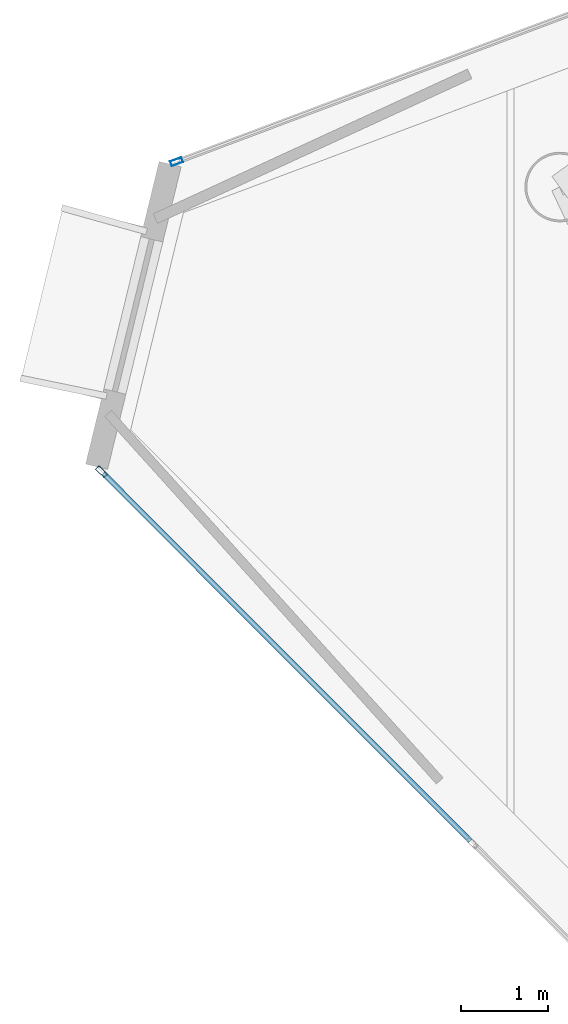
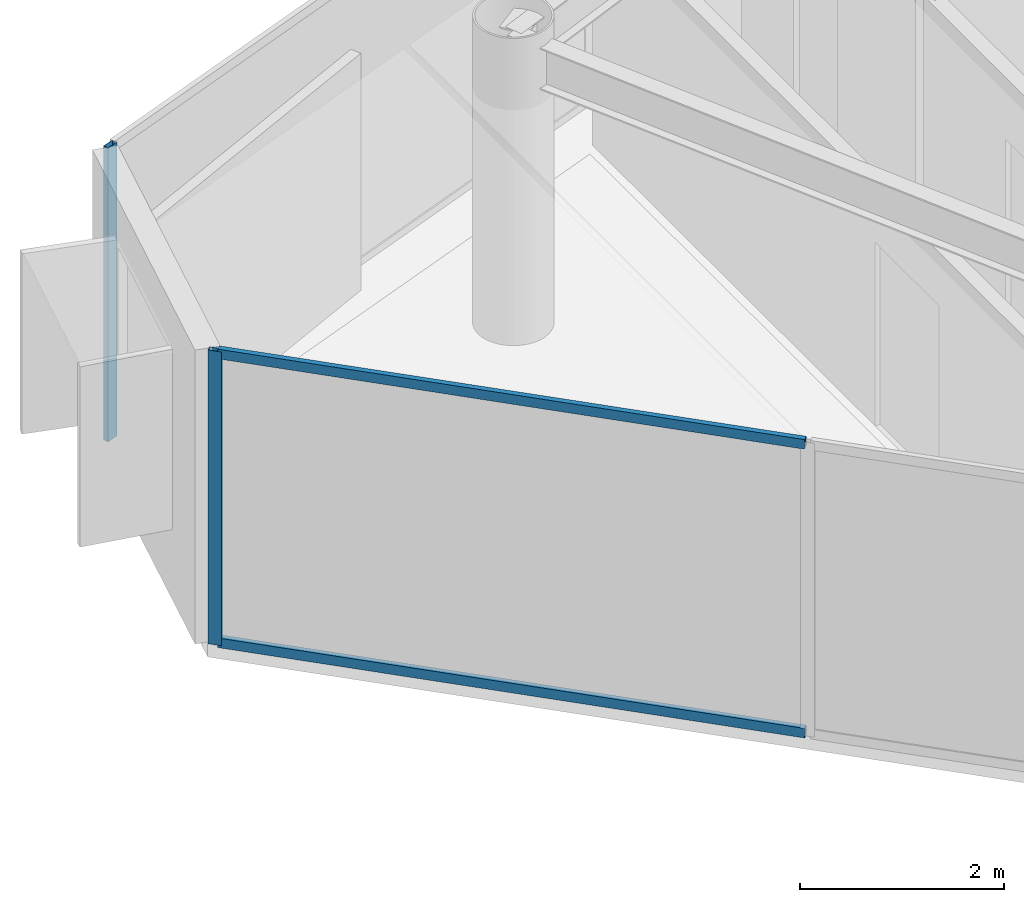
# One storey, part 7 of 19: 4 members, 2 elements without a shape of their own.
"""IFC4 building model written with IfcOpenShell, lengths in metres."""

from ifc_helpers import new_model, si_unit, direction, frame, origin, origin_2d, place, context, subcontext, project, spatial, hollow_rectangle, extrude, material, layer, layer_set, material_profile, profile_set, type_object, element, aggregate, save


model = new_model("IFC4")

# Units and contexts
model_context = context("Model", 3, precision=1e-05, world=origin(), true_north=direction((0.0, 1.0)))
body_context = subcontext(model_context, "Body", "Model", "MODEL_VIEW")
ifc_project = project(units=[si_unit("LENGTHUNIT", "METRE"), si_unit("AREAUNIT", "SQUARE_METRE"), si_unit("VOLUMEUNIT", "CUBIC_METRE"), si_unit("PLANEANGLEUNIT", "RADIAN"), si_unit("MASSUNIT", "GRAM", prefix="KILO")], contexts=[model_context])

# Site, building, storey
site_placement = place(None, origin())
site = spatial("IfcSite", under=ifc_project, at=site_placement, CompositionType="ELEMENT")
building_placement = place(site_placement, origin())
building = spatial("IfcBuilding", under=site, at=building_placement, Name="Qianvela Tower", CompositionType="ELEMENT")
storey_placement = place(building_placement, frame((0.0, 0.0, 340.699951171875)))
storey = spatial("IfcBuildingStorey", under=building, at=storey_placement, Name="L88", CompositionType="ELEMENT", Elevation=340.699951171875)

# Curtain wall, member
ifc_material_1 = material(Name="Anodised Architectural Aluminium and Low-E Glass", Category="aluminium")
ifc_layer = layer(ifc_material_1, 0.14990234375)
ifc_layer_set = layer_set([ifc_layer], Name="Anodised Architectural Aluminium and Low-E Glass")
curtain_wall_type = type_object("IfcCurtainWallType", Name="CW-COLIV-Z78", PredefinedType="USERDEFINED", material=ifc_layer_set)
curtain_wall_1_placement = place(storey_placement, origin())
curtain_wall_1 = element("IfcCurtainWall", 1, at=curtain_wall_1_placement, inside=storey, type_object=curtain_wall_type, Name="L88 CW-COLIV-Z78 Curtain Wall 02C", ObjectType="CURTAIN_WALL_SYSTEM", PredefinedType="USERDEFINED")
ifc_material_2 = material(Name="Anodised Architectural Aluminium 6063-T6", Category="aluminium")
ifc_material_profile_1 = material_profile(ifc_material_2, hollow_rectangle(XDim=0.06005859375, YDim=0.139892578125, WallThickness=0.00439453125, at=origin_2d()), Name="ALU-MULL-60x140")
ifc_profile_set_1 = profile_set([ifc_material_profile_1], Name="Anodised Architectural Aluminium 6063-T6")
member_type_1 = type_object("IfcMemberType", Name="CW-COLIV-Z78-MULL", PredefinedType="MULLION", material=ifc_profile_set_1)
member_1_placement = place(storey_placement, frame((19.0, 30.079833984375, 0.0), z_axis=(0.0, 0.0, 1.0), x_axis=(0.351959003477, -0.936015416471, 0.0)))
member_1 = element("IfcMember", 2, at=member_1_placement, type_object=member_type_1, Name="CW-6 mullion 3", PredefinedType="MULLION", context=body_context, shape_type="SweptSolid", body=[
    extrude(hollow_rectangle(XDim=0.06005859375, YDim=0.139892578125, WallThickness=0.00439453125, at=origin_2d()), origin(), (0.0, 0.0, 1.0), 3.52001953125),
])
aggregate(curtain_wall_1, [member_1])

# Curtain wall, members
curtain_wall_2_placement = place(storey_placement, origin())
curtain_wall_2 = element("IfcCurtainWall", 3, at=curtain_wall_2_placement, inside=storey, type_object=curtain_wall_type, Name="L88 CW-COLIV-Z78 Curtain Wall 04A", ObjectType="CURTAIN_WALL_SYSTEM", PredefinedType="USERDEFINED")
member_2_placement = place(storey_placement, frame((18.137451171875, 26.519775390625, 0.0), z_axis=(0.0, 0.0, 1.0), x_axis=(0.707597940603, 0.706615280371, 0.0)))
member_2 = element("IfcMember", 4, at=member_2_placement, type_object=member_type_1, Name="CW-6 mullion 1", PredefinedType="MULLION", context=body_context, shape_type="SweptSolid", body=[
    extrude(hollow_rectangle(XDim=0.06005859375, YDim=0.139892578125, WallThickness=0.00439453125, at=origin_2d()), origin(), (0.0, 0.0, 1.0), 3.52001953125),
])
ifc_material_3 = material(Name="Anodised Architectural Aluminium 6063-T6", Category="aluminium")
ifc_material_profile_2 = material_profile(ifc_material_3, hollow_rectangle(XDim=0.06005859375, YDim=0.114990234375, WallThickness=0.00390625, at=origin_2d()), Name="ALU-TRAN-60x115")
ifc_profile_set_2 = profile_set([ifc_material_profile_2], Name="Anodised Architectural Aluminium 6063-T6")
member_type_2 = type_object("IfcMemberType", Name="CW-COLIV-Z78-TRAN", PredefinedType="USERDEFINED", material=ifc_profile_set_2)
member_3_placement = place(storey_placement, frame((18.15869140625, 26.49853515625, 0.030029296875), z_axis=(0.706615450654, -0.707597770557, 0.0), x_axis=(0.707597770557, 0.706615450654, 0.0)))
member_3 = element("IfcMember", 5, at=member_3_placement, type_object=member_type_2, Name="CW-6 transom 1.1", ObjectType="TRANSOM", PredefinedType="USERDEFINED", context=body_context, shape_type="SweptSolid", body=[
    extrude(hollow_rectangle(XDim=0.06005859375, YDim=0.114990234375, WallThickness=0.00390625, at=origin_2d()), origin(), (0.0, 0.0, 1.0), 5.96484375),
])
member_4_placement = place(storey_placement, frame((18.15869140625, 26.49853515625, 3.489990234375), z_axis=(0.706615450654, -0.707597770557, 0.0), x_axis=(0.707597770557, 0.706615450654, 0.0)))
member_4 = element("IfcMember", 6, at=member_4_placement, type_object=member_type_2, Name="CW-6 transom 1.2", ObjectType="TRANSOM", PredefinedType="USERDEFINED", context=body_context, shape_type="SweptSolid", body=[
    extrude(hollow_rectangle(XDim=0.06005859375, YDim=0.114990234375, WallThickness=0.00390625, at=origin_2d()), origin(), (0.0, 0.0, 1.0), 5.96484375),
])
aggregate(curtain_wall_2, [member_2, member_3, member_4])

save(model, "model.ifc")
